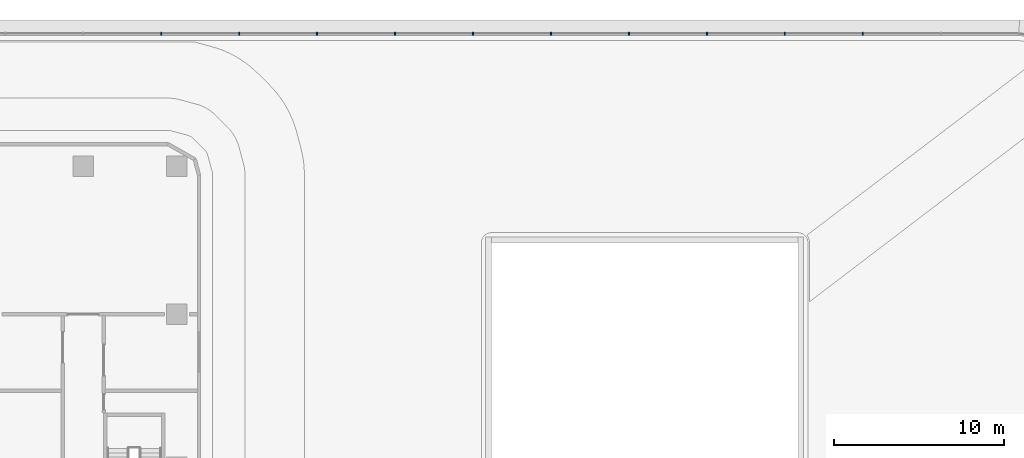
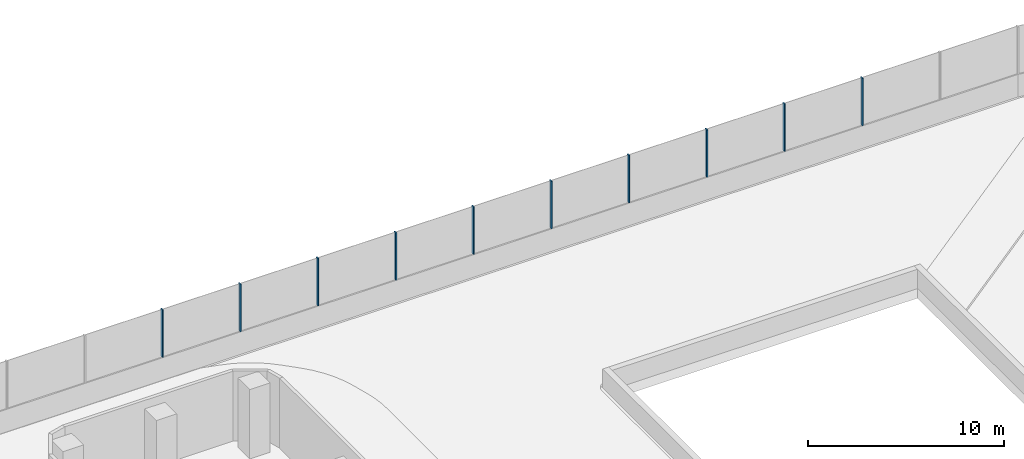
# One storey, part 18 of 37: 10 members, 1 element without a shape of its own.
"""IFC4 building model written with IfcOpenShell, lengths in metres."""

from ifc_helpers import new_model, si_unit, direction, frame, origin, origin_2d, place, context, subcontext, project, spatial, rectangle, extrude, material, layer, layer_set, material_profile, profile_set, type_object, element, aggregate, save


model = new_model("IFC4")

# Units and contexts
model_context = context("Model", 3, precision=1e-05, world=origin(), true_north=direction((0.0, 1.0)))
body_context = subcontext(model_context, "Body", "Model", "MODEL_VIEW")
ifc_project = project(units=[si_unit("LENGTHUNIT", "METRE"), si_unit("AREAUNIT", "SQUARE_METRE"), si_unit("VOLUMEUNIT", "CUBIC_METRE"), si_unit("PLANEANGLEUNIT", "RADIAN"), si_unit("MASSUNIT", "GRAM", prefix="KILO")], contexts=[model_context])

# Site, building, storey
site_placement = place(None, origin())
site = spatial("IfcSite", under=ifc_project, at=site_placement, CompositionType="ELEMENT")
building_placement = place(site_placement, origin())
building = spatial("IfcBuilding", under=site, at=building_placement, Name="Tamarind Cross Interchange Tower", CompositionType="ELEMENT")
storey_placement = place(building_placement, frame((0.0, 0.0, 29.5)))
storey = spatial("IfcBuildingStorey", under=building, at=storey_placement, Name="L05", CompositionType="ELEMENT", Elevation=29.5)

# Curtain wall, members
ifc_material = material(Name="Aluminium 6063-T6", Category="aluminium")
ifc_layer = layer(ifc_material, 0.179931640625)
ifc_layer_set = layer_set([ifc_layer], Name="Aluminium 6063-T6")
curtain_wall_type = type_object("IfcCurtainWallType", Name="Sky lobby curtain wall, fire-resisting glazing", PredefinedType="NOTDEFINED", material=ifc_layer_set)
curtain_wall_placement = place(storey_placement, origin())
curtain_wall = element("IfcCurtainWall", 1, at=curtain_wall_placement, inside=storey, type_object=curtain_wall_type, Name="CWS-L05-02", PredefinedType="NOTDEFINED")
ifc_material_profile = material_profile(ifc_material, rectangle(XDim=0.080078125, YDim=0.179931640625, at=origin_2d()), Name="Mullion CW4")
ifc_profile_set = profile_set([ifc_material_profile], Name="Aluminium 6063-T6")
member_type = type_object("IfcMemberType", Name="Mullion CW4", PredefinedType="MULLION", material=ifc_profile_set)
member_1_placement = place(storey_placement, frame((45.8203125, 55.800048828125, 1.39990234375), z_axis=(0.0, 0.0, 1.0), x_axis=(-1.0, 0.0, 0.0)))
member_1 = element("IfcMember", 2, at=member_1_placement, type_object=member_type, Name="CWM-L05-02-02", PredefinedType="MULLION", context=body_context, shape_type="SweptSolid", body=[
    extrude(rectangle(XDim=0.080078125, YDim=0.179931640625, at=origin_2d()), origin(), (0.0, 0.0, 1.0), 2.960205078125),
])
member_2_placement = place(storey_placement, frame((41.23828125, 55.800048828125, 1.39990234375), z_axis=(0.0, 0.0, 1.0), x_axis=(-1.0, 0.0, 0.0)))
member_2 = element("IfcMember", 3, at=member_2_placement, type_object=member_type, Name="CWM-L05-02-03", PredefinedType="MULLION", context=body_context, shape_type="SweptSolid", body=[
    extrude(rectangle(XDim=0.080078125, YDim=0.179931640625, at=origin_2d()), origin(), (0.0, 0.0, 1.0), 2.960205078125),
])
member_3_placement = place(storey_placement, frame((36.65625, 55.800048828125, 1.39990234375), z_axis=(0.0, 0.0, 1.0), x_axis=(-1.0, 0.0, 0.0)))
member_3 = element("IfcMember", 4, at=member_3_placement, type_object=member_type, Name="CWM-L05-02-04", PredefinedType="MULLION", context=body_context, shape_type="SweptSolid", body=[
    extrude(rectangle(XDim=0.080078125, YDim=0.179931640625, at=origin_2d()), origin(), (0.0, 0.0, 1.0), 2.960205078125),
])
member_4_placement = place(storey_placement, frame((32.07421875, 55.800048828125, 1.39990234375), z_axis=(0.0, 0.0, 1.0), x_axis=(-1.0, 0.0, 0.0)))
member_4 = element("IfcMember", 5, at=member_4_placement, type_object=member_type, Name="CWM-L05-02-05", PredefinedType="MULLION", context=body_context, shape_type="SweptSolid", body=[
    extrude(rectangle(XDim=0.080078125, YDim=0.179931640625, at=origin_2d()), origin(), (0.0, 0.0, 1.0), 2.960205078125),
])
member_5_placement = place(storey_placement, frame((27.4921875, 55.800048828125, 1.39990234375), z_axis=(0.0, 0.0, 1.0), x_axis=(-1.0, 0.0, 0.0)))
member_5 = element("IfcMember", 6, at=member_5_placement, type_object=member_type, Name="CWM-L05-02-06", PredefinedType="MULLION", context=body_context, shape_type="SweptSolid", body=[
    extrude(rectangle(XDim=0.080078125, YDim=0.179931640625, at=origin_2d()), origin(), (0.0, 0.0, 1.0), 2.960205078125),
])
member_6_placement = place(storey_placement, frame((22.91015625, 55.800048828125, 1.39990234375), z_axis=(0.0, 0.0, 1.0), x_axis=(-1.0, 0.0, 0.0)))
member_6 = element("IfcMember", 7, at=member_6_placement, type_object=member_type, Name="CWM-L05-02-07", PredefinedType="MULLION", context=body_context, shape_type="SweptSolid", body=[
    extrude(rectangle(XDim=0.080078125, YDim=0.179931640625, at=origin_2d()), origin(), (0.0, 0.0, 1.0), 2.960205078125),
])
member_7_placement = place(storey_placement, frame((18.328125, 55.800048828125, 1.39990234375), z_axis=(0.0, 0.0, 1.0), x_axis=(-1.0, 0.0, 0.0)))
member_7 = element("IfcMember", 8, at=member_7_placement, type_object=member_type, Name="CWM-L05-02-08", PredefinedType="MULLION", context=body_context, shape_type="SweptSolid", body=[
    extrude(rectangle(XDim=0.080078125, YDim=0.179931640625, at=origin_2d()), origin(), (0.0, 0.0, 1.0), 2.960205078125),
])
member_8_placement = place(storey_placement, frame((13.74609375, 55.800048828125, 1.39990234375), z_axis=(0.0, 0.0, 1.0), x_axis=(-1.0, 0.0, 0.0)))
member_8 = element("IfcMember", 9, at=member_8_placement, type_object=member_type, Name="CWM-L05-02-09", PredefinedType="MULLION", context=body_context, shape_type="SweptSolid", body=[
    extrude(rectangle(XDim=0.080078125, YDim=0.179931640625, at=origin_2d()), origin(), (0.0, 0.0, 1.0), 2.960205078125),
])
member_9_placement = place(storey_placement, frame((9.1640625, 55.800048828125, 1.39990234375), z_axis=(0.0, 0.0, 1.0), x_axis=(-1.0, 0.0, 0.0)))
member_9 = element("IfcMember", 10, at=member_9_placement, type_object=member_type, Name="CWM-L05-02-10", PredefinedType="MULLION", context=body_context, shape_type="SweptSolid", body=[
    extrude(rectangle(XDim=0.080078125, YDim=0.179931640625, at=origin_2d()), origin(), (0.0, 0.0, 1.0), 2.960205078125),
])
member_10_placement = place(storey_placement, frame((4.58203125, 55.800048828125, 1.39990234375), z_axis=(0.0, 0.0, 1.0), x_axis=(-1.0, 0.0, 0.0)))
member_10 = element("IfcMember", 11, at=member_10_placement, type_object=member_type, Name="CWM-L05-02-11", PredefinedType="MULLION", context=body_context, shape_type="SweptSolid", body=[
    extrude(rectangle(XDim=0.080078125, YDim=0.179931640625, at=origin_2d()), origin(), (0.0, 0.0, 1.0), 2.960205078125),
])
aggregate(curtain_wall, [member_1, member_2, member_3, member_4, member_5, member_6, member_7, member_8, member_9, member_10])

save(model, "model.ifc")
